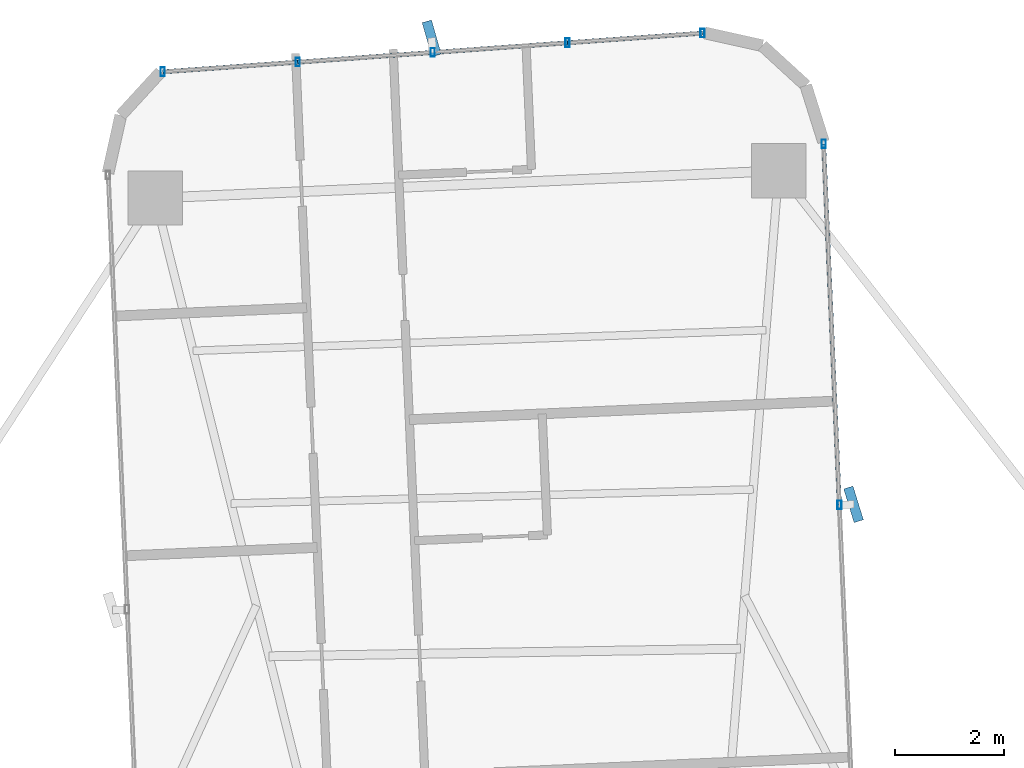
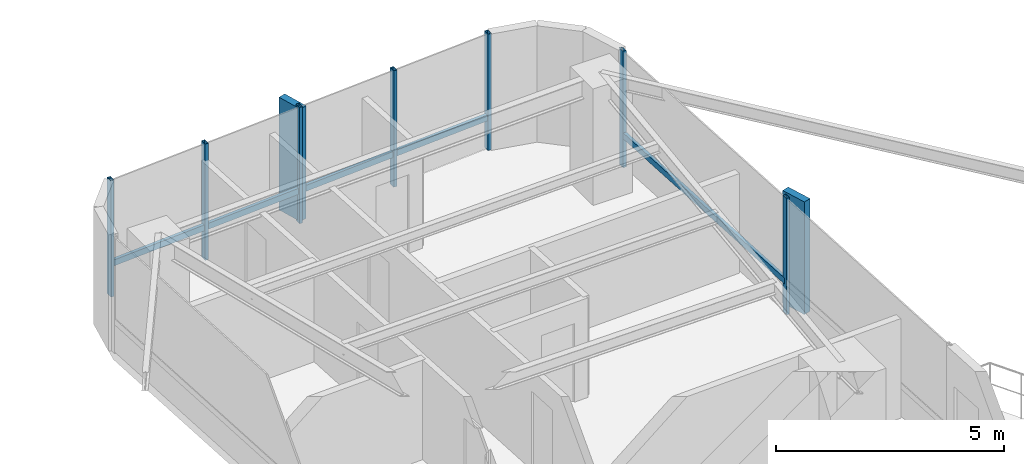
# One storey, part 19 of 26: 14 members, 2 elements without a shape of their own.
"""IFC4 building model written with IfcOpenShell, lengths in metres."""

from ifc_helpers import new_model, si_unit, direction, frame, origin, origin_2d, place, context, subcontext, project, spatial, rectangle, hollow_rectangle, extrude, source, transform, mapped, material, material_profile, profile_set, type_object, element, aggregate, save


model = new_model("IFC4")

# Units and contexts
model_context = context("Model", 3, precision=1e-05, world=origin(), true_north=direction((0.0, 1.0)))
body_context = subcontext(model_context, "Body", "Model", "MODEL_VIEW")
ifc_project = project(units=[si_unit("LENGTHUNIT", "METRE"), si_unit("AREAUNIT", "SQUARE_METRE"), si_unit("VOLUMEUNIT", "CUBIC_METRE"), si_unit("PLANEANGLEUNIT", "RADIAN"), si_unit("MASSUNIT", "GRAM", prefix="KILO")], contexts=[model_context])

# Site, building, storey
site_placement = place(None, origin())
site = spatial("IfcSite", under=ifc_project, at=site_placement, CompositionType="ELEMENT")
building_placement = place(site_placement, origin())
building = spatial("IfcBuilding", under=site, at=building_placement, Name="Sahyath Konkavel Grand Hotel", CompositionType="ELEMENT")
storey_placement = place(building_placement, frame((0.0, 0.0, 131.550048828125)))
storey = spatial("IfcBuildingStorey", under=building, at=storey_placement, Name="L36", CompositionType="ELEMENT", Elevation=131.550048828125)

# Curtain wall, members
ifc_material_1 = material(Name="Anodised Bronze Aluminium & Low-E Glazing", Category="aluminium")
curtain_wall_type = type_object("IfcCurtainWallType", Name="CW-ZONE2", PredefinedType="NOTDEFINED", material=ifc_material_1)
curtain_wall_1_placement = place(storey_placement, origin())
curtain_wall_1 = element("IfcCurtainWall", 1, at=curtain_wall_1_placement, inside=storey, type_object=curtain_wall_type, Name="L36 Unitised Curtain Wall F8", PredefinedType="NOTDEFINED")
ifc_material_2 = material(Name="Anodised Bronze Aluminium", Category="aluminium")
ifc_material_profile_1 = material_profile(ifc_material_2, hollow_rectangle(XDim=0.080078125, YDim=0.159912109375, WallThickness=0.006103515625, at=origin_2d()), Name="RHS 160x80x6")
ifc_profile_set_1 = profile_set([ifc_material_profile_1], Name="Anodised Bronze Aluminium")
member_type_1 = type_object("IfcMemberType", Name="CW-MUL-160", PredefinedType="MULLION", material=ifc_profile_set_1)
shared_shape_1 = source(origin(), body_context, "Body", "SweptSolid", [
    extrude(hollow_rectangle(XDim=0.080078125, YDim=0.159912109375, WallThickness=0.006103515625, at=origin_2d()), origin(), (0.0, 0.0, 1.0), 3.10986328125),
])
member_1_placement = place(storey_placement, frame((5.895751953125, 16.272705078125, 0.0), z_axis=(0.0, 0.0, 1.0), x_axis=(1.0, 0.0, 0.0)))
member_1 = element("IfcMember", 2, at=member_1_placement, type_object=member_type_1, Name="L36 Curtain Wall Mullion F8-1", PredefinedType="MULLION", context=body_context, shape_type="MappedRepresentation", body=[
    mapped(shared_shape_1, transform((0.0, 0.0, 0.0), scale=1.0)),
])
member_2_placement = place(storey_placement, frame((5.605224609375, 22.92626953125, 0.0), z_axis=(0.0, 0.0, 1.0), x_axis=(1.0, 0.0, 0.0)))
member_2 = element("IfcMember", 3, at=member_2_placement, type_object=member_type_1, Name="L36 Curtain Wall Mullion F8-2", PredefinedType="MULLION", context=body_context, shape_type="MappedRepresentation", body=[
    mapped(shared_shape_1, transform((0.0, 0.0, 0.0), scale=1.0)),
])

curtain_wall_2_placement = place(storey_placement, origin())
curtain_wall_2 = element("IfcCurtainWall", 4, at=curtain_wall_2_placement, inside=storey, type_object=curtain_wall_type, Name="L36 Unitised Curtain Wall F12", PredefinedType="NOTDEFINED")
member_3_placement = place(storey_placement, frame((3.3740234375, 24.9697265625, 0.0), z_axis=(0.0, 0.0, 1.0), x_axis=(1.0, 0.0, 0.0)))
member_3 = element("IfcMember", 5, at=member_3_placement, type_object=member_type_1, Name="L36 Curtain Wall Mullion F12-0", PredefinedType="MULLION", context=body_context, shape_type="MappedRepresentation", body=[
    mapped(shared_shape_1, transform((0.0, 0.0, 0.0), scale=1.0)),
])
member_4_placement = place(storey_placement, frame((0.886962890625, 24.79150390625, 0.0), z_axis=(0.0, 0.0, 1.0), x_axis=(1.0, 0.0, 0.0)))
member_4 = element("IfcMember", 6, at=member_4_placement, type_object=member_type_1, Name="L36 Curtain Wall Mullion F12-1", PredefinedType="MULLION", context=body_context, shape_type="MappedRepresentation", body=[
    mapped(shared_shape_1, transform((0.0, 0.0, 0.0), scale=1.0)),
])
member_5_placement = place(storey_placement, frame((-1.60009765625, 24.61279296875, 0.0), z_axis=(0.0, 0.0, 1.0), x_axis=(1.0, 0.0, 0.0)))
member_5 = element("IfcMember", 7, at=member_5_placement, type_object=member_type_1, Name="L36 Curtain Wall Mullion F12-2", PredefinedType="MULLION", context=body_context, shape_type="MappedRepresentation", body=[
    mapped(shared_shape_1, transform((0.0, 0.0, 0.0), scale=1.0)),
])
member_6_placement = place(storey_placement, frame((-4.087158203125, 24.4345703125, 0.0), z_axis=(0.0, 0.0, 1.0), x_axis=(1.0, 0.0, 0.0)))
member_6 = element("IfcMember", 8, at=member_6_placement, type_object=member_type_1, Name="L36 Curtain Wall Mullion F12-3", PredefinedType="MULLION", context=body_context, shape_type="MappedRepresentation", body=[
    mapped(shared_shape_1, transform((0.0, 0.0, 0.0), scale=1.0)),
])
member_7_placement = place(storey_placement, frame((-6.57421875, 24.256103515625, 0.0), z_axis=(0.0, 0.0, 1.0), x_axis=(1.0, 0.0, 0.0)))
member_7 = element("IfcMember", 9, at=member_7_placement, type_object=member_type_1, Name="L36 Curtain Wall Mullion F12-4", PredefinedType="MULLION", context=body_context, shape_type="MappedRepresentation", body=[
    mapped(shared_shape_1, transform((0.0, 0.0, 0.0), scale=1.0)),
])

# Member
ifc_material_3 = material(Name="Warm Buff Sandstone Cladding on Concrete C50/60", Category="masonry")
ifc_material_profile_2 = material_profile(ifc_material_3, rectangle(XDim=0.179931640625, YDim=0.64990234375, at=origin_2d()), Name="FIN 180x650")
ifc_profile_set_2 = profile_set([ifc_material_profile_2], Name="Warm Buff Sandstone Cladding on Concrete C50/60")
member_type_2 = type_object("IfcMemberType", Name="FIN-SANDSTONE-650", PredefinedType="MULLION", material=ifc_profile_set_2)
shared_shape_2 = source(origin(), body_context, "Body", "SweptSolid", [
    extrude(rectangle(XDim=0.179931640625, YDim=0.64990234375, at=origin_2d()), origin(), (0.0, 0.0, 1.0), 3.010009765625),
])
member_8_placement = place(storey_placement, frame((6.155517578125, 16.283935546875, 0.050048828125), z_axis=(0.0, 0.0, 1.0), x_axis=(0.955278362122, 0.295708050044, 0.0)))
member_8 = element("IfcMember", 10, at=member_8_placement, type_object=member_type_2, Name="L36 Sandstone Vertical Solar Fin FIN F8-1", PredefinedType="MULLION", context=body_context, shape_type="MappedRepresentation", body=[
    mapped(shared_shape_2, transform((0.0, 0.0, 0.0), scale=1.0)),
])

member_9_placement = place(storey_placement, frame((-1.61865234375, 24.872314453125, 0.050048828125), z_axis=(0.0, 0.0, 1.0), x_axis=(0.961693479997, 0.274127070043, 0.0)))
member_9 = element("IfcMember", 11, at=member_9_placement, type_object=member_type_2, Name="L36 Sandstone Vertical Solar Fin FIN F12-2", PredefinedType="MULLION", context=body_context, shape_type="MappedRepresentation", body=[
    mapped(shared_shape_2, transform((0.0, 0.0, 0.0), scale=1.0)),
])

ifc_material_profile_3 = material_profile(ifc_material_2, hollow_rectangle(XDim=0.080078125, YDim=0.159912109375, WallThickness=0.006103515625, at=origin_2d()), Name="RHS 160x80x6")
ifc_profile_set_3 = profile_set([ifc_material_profile_3], Name="Anodised Bronze Aluminium")
member_type_3 = type_object("IfcMemberType", Name="CW-TRN-160", PredefinedType="USERDEFINED", material=ifc_profile_set_3)
shared_shape_3 = source(origin(), body_context, "Body", "SweptSolid", [
    extrude(hollow_rectangle(XDim=0.080078125, YDim=0.159912109375, WallThickness=0.006103515625, at=origin_2d()), origin(), (0.0, 0.0, 1.0), 2.493408203125),
])
member_10_placement = place(storey_placement, frame((3.3740234375, 24.9697265625, 0.849853515625), z_axis=(-0.997442271688, -0.071476672066, 0.0), x_axis=(0.071476672066, -0.997442271688, 0.0)))
member_10 = element("IfcMember", 12, at=member_10_placement, type_object=member_type_3, Name="L36 Curtain Wall Transom F12-0-spandrel", ObjectType="TRANSOM", PredefinedType="USERDEFINED", context=body_context, shape_type="MappedRepresentation", body=[
    mapped(shared_shape_3, transform((0.0, 0.0, 0.0), scale=1.0)),
])

member_11_placement = place(storey_placement, frame((0.886962890625, 24.79150390625, 0.849853515625), z_axis=(-0.997428291631, -0.071671494009, 0.0), x_axis=(0.071671494009, -0.997428291631, 0.0)))
member_11 = element("IfcMember", 13, at=member_11_placement, type_object=member_type_3, Name="L36 Curtain Wall Transom F12-1-spandrel", ObjectType="TRANSOM", PredefinedType="USERDEFINED", context=body_context, shape_type="MappedRepresentation", body=[
    mapped(shared_shape_3, transform((0.0, 0.0, 0.0), scale=1.0)),
])

member_12_placement = place(storey_placement, frame((-1.60009765625, 24.61279296875, 0.849853515625), z_axis=(-0.997442271688, -0.071476672066, 0.0), x_axis=(0.071476672066, -0.997442271688, 0.0)))
member_12 = element("IfcMember", 14, at=member_12_placement, type_object=member_type_3, Name="L36 Curtain Wall Transom F12-2-spandrel", ObjectType="TRANSOM", PredefinedType="USERDEFINED", context=body_context, shape_type="MappedRepresentation", body=[
    mapped(shared_shape_3, transform((0.0, 0.0, 0.0), scale=1.0)),
])

member_13_placement = place(storey_placement, frame((-4.087158203125, 24.4345703125, 0.849853515625), z_axis=(-0.997435286367, -0.071574084062, 0.0), x_axis=(0.071574084062, -0.997435286367, 0.0)))
member_13 = element("IfcMember", 15, at=member_13_placement, type_object=member_type_3, Name="L36 Curtain Wall Transom F12-3-spandrel", ObjectType="TRANSOM", PredefinedType="USERDEFINED", context=body_context, shape_type="MappedRepresentation", body=[
    mapped(shared_shape_3, transform((0.0, 0.0, 0.0), scale=1.0)),
])

aggregate(curtain_wall_2, [member_3, member_4, member_5, member_9, member_6, member_7, member_10, member_11, member_12, member_13])

shared_shape_4 = source(origin(), body_context, "Body", "SweptSolid", [
    extrude(hollow_rectangle(XDim=0.080078125, YDim=0.159912109375, WallThickness=0.006103515625, at=origin_2d()), origin(), (0.0, 0.0, 1.0), 6.659912109375),
])
member_14_placement = place(storey_placement, frame((5.895751953125, 16.272705078125, 0.849853515625), z_axis=(-0.043623350741, 0.999048048529, 0.0), x_axis=(-0.999048048529, -0.043623350741, 0.0)))
member_14 = element("IfcMember", 16, at=member_14_placement, type_object=member_type_3, Name="L36 Curtain Wall Transom F8-1-spandrel", ObjectType="TRANSOM", PredefinedType="USERDEFINED", context=body_context, shape_type="MappedRepresentation", body=[
    mapped(shared_shape_4, transform((0.0, 0.0, 0.0), scale=1.0)),
])

aggregate(curtain_wall_1, [member_1, member_8, member_2, member_14])

save(model, "model.ifc")
